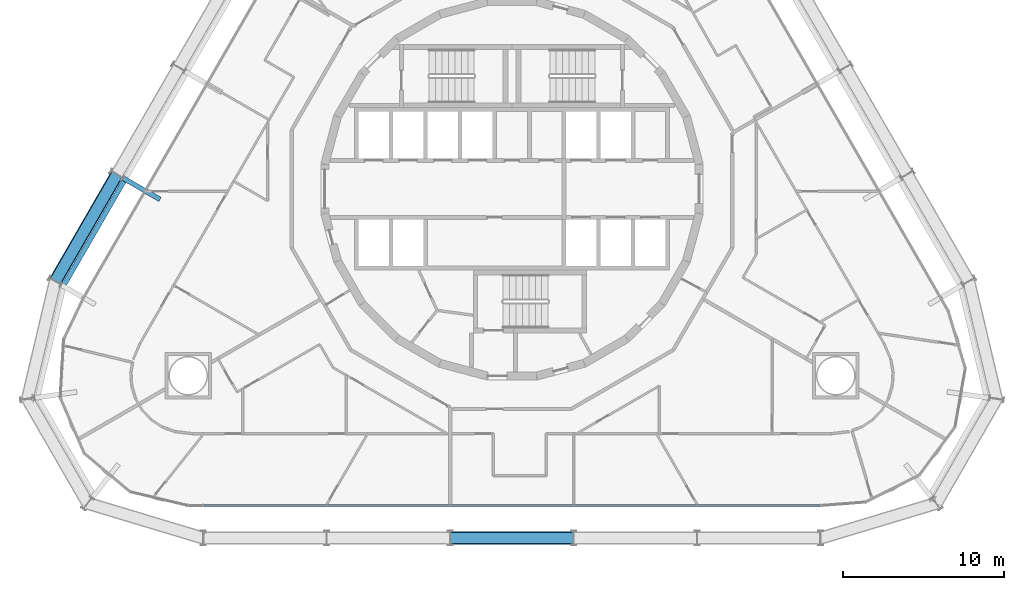
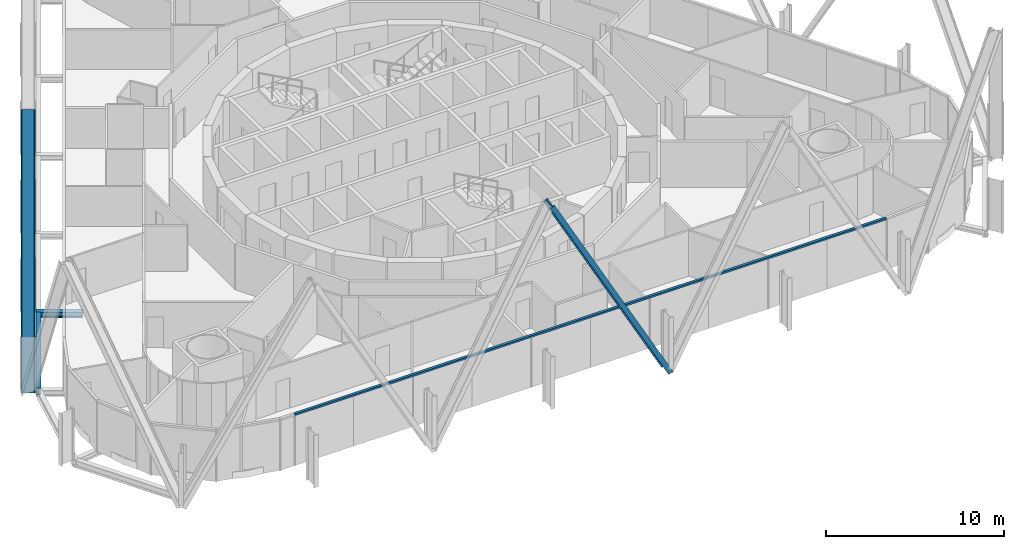
# One storey, part 4 of 21: 3 members, 2 beams, 1 element without a shape of its own.
"""IFC4 building model written with IfcOpenShell, lengths in metres."""

from ifc_helpers import new_model, si_unit, direction, frame, origin, origin_2d, place, context, subcontext, project, spatial, rectangle, i_section, extrude, material, layer, layer_set, material_profile, profile_set, type_object, element, aggregate, save


model = new_model("IFC4")

# Units and contexts
model_context = context("Model", 3, precision=1e-05, world=origin(), true_north=direction((0.0, 1.0)))
body_context = subcontext(model_context, "Body", "Model", "MODEL_VIEW")
ifc_project = project(units=[si_unit("LENGTHUNIT", "METRE"), si_unit("AREAUNIT", "SQUARE_METRE"), si_unit("VOLUMEUNIT", "CUBIC_METRE"), si_unit("PLANEANGLEUNIT", "RADIAN"), si_unit("MASSUNIT", "GRAM", prefix="KILO")], contexts=[model_context])

# Site, building, storey
site_placement = place(None, origin())
site = spatial("IfcSite", under=ifc_project, at=site_placement, CompositionType="ELEMENT")
building_placement = place(site_placement, origin())
building = spatial("IfcBuilding", under=site, at=building_placement, Name="Spindle Arch Residences", CompositionType="ELEMENT")
storey_placement = place(building_placement, frame((0.0, 0.0, 38.39990234375)))
storey = spatial("IfcBuildingStorey", under=building, at=storey_placement, Name="L07", CompositionType="ELEMENT", Elevation=38.39990234375)

# Curtain wall, member
ifc_material_1 = material(Name="Aluminium bronze unitised frame with tinted glass", Category="aluminium")
ifc_layer = layer(ifc_material_1, 0.159912109375)
ifc_layer_set = layer_set([ifc_layer], Name="CW-C typical residential unitised wall")
curtain_wall_type = type_object("IfcCurtainWallType", Name="CW-C typical residential unitised wall", PredefinedType="NOTDEFINED", material=ifc_layer_set)
curtain_wall_placement = place(storey_placement, origin())
curtain_wall = element("IfcCurtainWall", 1, at=curtain_wall_placement, inside=storey, type_object=curtain_wall_type, Name="CW-C L07 run 6", PredefinedType="NOTDEFINED")
ifc_material_2 = material(Name="Aluminium bronze anodised transom", Category="aluminium")
ifc_material_profile_1 = material_profile(ifc_material_2, rectangle(XDim=0.159912109375, YDim=0.1201171875, at=origin_2d()), Name="TR 120x160")
ifc_profile_set_1 = profile_set([ifc_material_profile_1], Name="Aluminium bronze anodised transom")
member_type_1 = type_object("IfcMemberType", Name="Bronze transom 120x160", PredefinedType="USERDEFINED", material=ifc_profile_set_1)
member_placement = place(storey_placement, frame((-19.170166015625, -19.7099609375, 3.06005859375), z_axis=(1.0, 0.0, 0.0), x_axis=(0.0, 1.0, 0.0)))
member = element("IfcMember", 2, at=member_placement, type_object=member_type_1, Name="CW-C transom 00", ObjectType="TRANSOM", PredefinedType="USERDEFINED", context=body_context, shape_type="SweptSolid", body=[
    extrude(rectangle(XDim=0.159912109375, YDim=0.1201171875, at=origin_2d()), origin(), (0.0, 0.0, 1.0), 38.34033203125),
])
aggregate(curtain_wall, [member])

# Members
ifc_material_3 = material(Name="Steel S460ML, intumescent coating R 240", Category="steel")
ifc_material_profile_2 = material_profile(ifc_material_3, i_section(OverallWidth=0.302978515625, OverallDepth=0.81396484375, WebThickness=0.02099609375, FlangeThickness=0.0400390625, FilletRadius=0.030029296875, at=origin_2d()), Name="HEM 800")
ifc_profile_set_2 = profile_set([ifc_material_profile_2], Name="Steel S460ML, intumescent coating R 240")
member_type_2 = type_object("IfcMemberType", Name="Diagrid diagonal HEM 800", PredefinedType="BRACE", material=ifc_profile_set_2)
for number, where, z_axis, x_axis, name in (
    (3, (-28.418701171875, -5.762939453125, -0.699951171875), (0.239561156011, 0.414925587972, 0.877751222714), (-0.438880772287, -0.760151877386, 0.47911667788), "Diagrid diagonal 1.1.18"),
    (4, (3.840087890625, -21.72998046875, -0.699951171875), (-0.479121018672, 0.0, 0.877748853299), (0.877748853299, 0.0, 0.479121018672), "Diagrid diagonal 1.1.24"),
):
    element("IfcMember", number, at=place(storey_placement, frame(where, z_axis=z_axis, x_axis=x_axis)), inside=storey, type_object=member_type_2, Name=name, PredefinedType="BRACE", context=body_context, shape_type="SweptSolid", body=[
        extrude(i_section(OverallWidth=0.302978515625, OverallDepth=0.81396484375, WebThickness=0.02099609375, FlangeThickness=0.0400390625, FilletRadius=0.030029296875, at=origin_2d()), origin(), (0.0, 0.0, 1.0), 16.02978515625),
    ])

# Beams
ifc_material_4 = material(Name="Steel S460ML, intumescent coating R 120", Category="steel")
ifc_material_profile_3 = material_profile(ifc_material_4, i_section(OverallWidth=0.300048828125, OverallDepth=0.5, WebThickness=0.014404296875, FlangeThickness=0.028076171875, FilletRadius=0.027099609375, at=origin_2d()), Name="HEB 500")
ifc_profile_set_3 = profile_set([ifc_material_profile_3], Name="Steel S460ML, intumescent coating R 120")
beam_type_1 = type_object("IfcBeamType", Name="Exoskeleton edge beam HEB 500", PredefinedType="BEAM", material=ifc_profile_set_3)
beam_1_placement = place(storey_placement, frame((-24.13525390625, 0.482177734375, -0.699951171875), z_axis=(-0.49998923004, -0.866031621735, 0.0), x_axis=(0.866031621735, -0.49998923004, 0.0)))
element("IfcBeam", 5, at=beam_1_placement, inside=storey, type_object=beam_type_1, Name="Exoskeleton edge beam 18", PredefinedType="BEAM", context=body_context, shape_type="SweptSolid", body=[
    extrude(i_section(OverallWidth=0.300048828125, OverallDepth=0.5, WebThickness=0.014404296875, FlangeThickness=0.028076171875, FilletRadius=0.027099609375, at=origin_2d()), origin(), (0.0, 0.0, 1.0), 7.420166015625),
])
ifc_material_5 = material(Name="Steel S460ML, intumescent coating R 120", Category="steel")
ifc_material_profile_4 = material_profile(ifc_material_5, i_section(OverallWidth=0.300048828125, OverallDepth=0.389892578125, WebThickness=0.010986328125, FlangeThickness=0.01904296875, FilletRadius=0.027099609375, at=origin_2d()), Name="HEA 400")
ifc_profile_set_4 = profile_set([ifc_material_profile_4], Name="Steel S460ML, intumescent coating R 120")
beam_type_2 = type_object("IfcBeamType", Name="Floor outrigger HEA 400", PredefinedType="BEAM", material=ifc_profile_set_4)
beam_2_placement = place(storey_placement, frame((-24.18896484375, 0.6630859375, -0.64501953125), z_axis=(0.866029095148, -0.499993606316, 0.0), x_axis=(0.499993606316, 0.866029095148, 0.0)))
element("IfcBeam", 6, at=beam_2_placement, inside=storey, type_object=beam_type_2, Name="Floor outrigger 18", PredefinedType="BEAM", context=body_context, shape_type="SweptSolid", body=[
    extrude(i_section(OverallWidth=0.300048828125, OverallDepth=0.389892578125, WebThickness=0.010986328125, FlangeThickness=0.01904296875, FilletRadius=0.027099609375, at=origin_2d()), origin(), (0.0, 0.0, 1.0), 2.64990234375),
])

save(model, "model.ifc")
